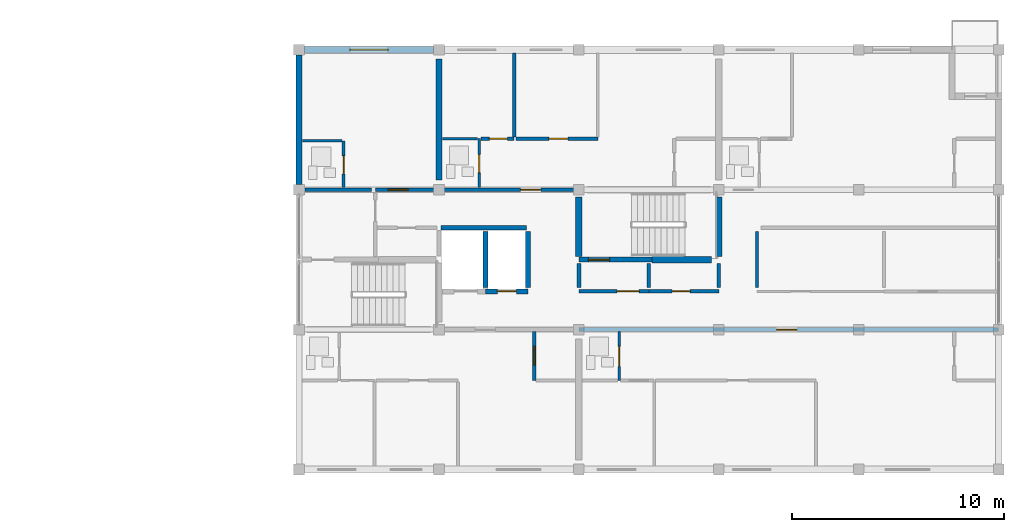
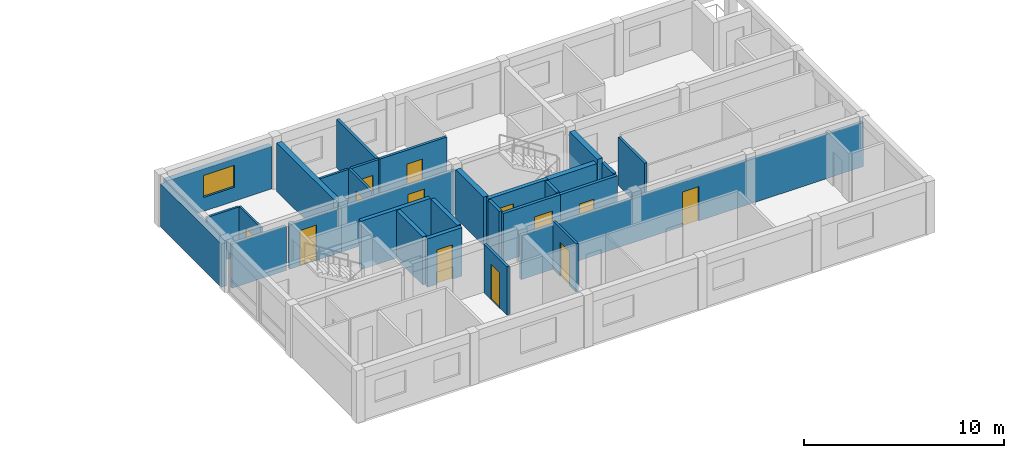
# One storey, part 35 of 45: 30 walls, 13 doors, 1 window, 14 openings.
"""IFC4 building model written with IfcOpenShell, lengths in metres."""

from ifc_helpers import new_model, si_unit, direction, frame, frame_2d, origin, place, context, subcontext, project, spatial, rectangle, extrude, material, layer, layer_set, type_object, element, fill, save


model = new_model("IFC4")

# Units and contexts
model_context = context("Model", 3, precision=1e-05, world=origin(), true_north=direction((0.0, 1.0)))
body_context = subcontext(model_context, "Body", "Model", "MODEL_VIEW")
ifc_project = project(units=[si_unit("LENGTHUNIT", "METRE"), si_unit("AREAUNIT", "SQUARE_METRE"), si_unit("VOLUMEUNIT", "CUBIC_METRE"), si_unit("PLANEANGLEUNIT", "RADIAN"), si_unit("MASSUNIT", "GRAM", prefix="KILO")], contexts=[model_context])

# Site, building, storey
site_placement = place(None, origin())
site = spatial("IfcSite", under=ifc_project, at=site_placement, CompositionType="ELEMENT")
building_placement = place(site_placement, origin())
building = spatial("IfcBuilding", under=site, at=building_placement, Name="Kernevlak Ridge Housing Community", CompositionType="ELEMENT")
storey_placement = place(building_placement, frame((0.0, 0.0, 14.800048828125)))
storey = spatial("IfcBuildingStorey", under=building, at=storey_placement, Name="L04", CompositionType="ELEMENT", Elevation=14.800048828125)

# Wall, opening, window
ifc_material_1 = material(Name="Concrete block masonry M10", Category="masonry")
ifc_layer_1 = layer(ifc_material_1, 0.300048828125, Name="Concrete block masonry M10")
ifc_layer_set_1 = layer_set([ifc_layer_1], Name="Concrete block masonry M10")
wall_type_1 = type_object("IfcWallType", Name="EW-01", PredefinedType="STANDARD", material=ifc_layer_set_1)
wall_1_placement = place(storey_placement, frame((119.64990234375, 102.39990234375, 0.0), z_axis=(0.0, 0.0, 1.0), x_axis=(1.0, 0.0, 0.0)))
wall_1 = element("IfcWall", 1, at=wall_1_placement, inside=storey, type_object=wall_type_1, Name="Exterior wall EW-01 L04 360", PredefinedType="STANDARD", context=body_context, shape_type="SweptSolid", body=[
    extrude(rectangle(XDim=6.10009765625, YDim=0.300048828125, at=frame_2d((3.050048828125, 0.0))), origin(), (0.0, 0.0, 1.0), 2.599853515625),
])
opening_1_placement = place(wall_1_placement, frame((2.14990234375, 0.0, 0.85009765625)))
opening_1 = element("IfcOpeningElement", 2, at=opening_1_placement, cuts=wall_1, Name="Opening WT-03", PredefinedType="OPENING", context=body_context, shape_type="SweptSolid", body=[
    extrude(rectangle(XDim=1.800048828125, YDim=1.35009765625, at=frame_2d((0.89990234375, 0.675048828125))), frame((0.0, 0.159912109375, 0.0), z_axis=(0.0, -1.0, 0.0), x_axis=(1.0, 0.0, 0.0)), (0.0, 0.0, 1.0), 0.320068359375),
])
ifc_material_2 = material(Name="Aluminium EN AW-6060 anodised and laminated glass", Category="aluminium")
window_type = type_object("IfcWindowType", Name="WT-03", PartitioningType="SINGLE_PANEL", PredefinedType="WINDOW", material=ifc_material_2)
window_placement = place(opening_1_placement, origin())
window = element("IfcWindow", 3, at=window_placement, inside=storey, type_object=window_type, Name="Window WT-03 L04 277", OverallHeight=1.35009765625, OverallWidth=1.800048828125, PartitioningType="SINGLE_PANEL", PredefinedType="WINDOW", context=body_context, shape_type="SweptSolid", body=[
    extrude(rectangle(XDim=1.800048828125, YDim=1.35009765625, at=frame_2d((0.89990234375, 0.675048828125))), frame((0.0, 0.030029296875, 0.0), z_axis=(0.0, -1.0, 0.0), x_axis=(1.0, 0.0, 0.0)), (0.0, 0.0, 1.0), 0.06005859375),
])
fill(opening_1, window)

# Wall
wall_2_placement = place(storey_placement, frame((119.39990234375, 96.050048828125, 0.0), z_axis=(0.0, 0.0, 1.0), x_axis=(0.0, 1.0, 0.0)))
element("IfcWall", 4, at=wall_2_placement, inside=storey, type_object=wall_type_1, Name="Exterior wall EW-01 L04 368", PredefinedType="STANDARD", context=body_context, shape_type="SweptSolid", body=[
    extrude(rectangle(XDim=6.099853515625, YDim=0.300048828125, at=frame_2d((3.0498046875, 0.0))), origin(), (0.0, 0.0, 1.0), 2.64990234375),
])

# Wall, opening, door
ifc_material_3 = material(Name="Concrete C35/45", Category="concrete")
ifc_layer_2 = layer(ifc_material_3, 0.22509765625, Name="Concrete C35/45")
ifc_layer_set_2 = layer_set([ifc_layer_2], Name="Concrete C35/45")
wall_type_2 = type_object("IfcWallType", Name="PW-01", PredefinedType="STANDARD", material=ifc_layer_set_2)
wall_3_placement = place(storey_placement, frame((128.199951171875, 91.0, 0.0), z_axis=(0.0, 0.0, 1.0), x_axis=(1.0, 0.0, 0.0)))
wall_3 = element("IfcWall", 5, at=wall_3_placement, inside=storey, type_object=wall_type_2, Name="Interior wall PW-01 WAL-INT-L04-1390", PredefinedType="STANDARD", context=body_context, shape_type="SweptSolid", body=[
    extrude(rectangle(XDim=2.0, YDim=0.22509765625, at=frame_2d((1.0, 0.0))), origin(), (0.0, 0.0, 1.0), 2.9599609375),
])
opening_2_placement = place(wall_3_placement, frame((0.550048828125, 0.0, 0.0)))
opening_2 = element("IfcOpeningElement", 6, at=opening_2_placement, cuts=wall_3, Name="Opening LD39", PredefinedType="OPENING", context=body_context, shape_type="SweptSolid", body=[
    extrude(rectangle(XDim=0.89990234375, YDim=2.10009765625, at=frame_2d((0.449951171875, 1.050048828125))), frame((0.0, 0.12255859375, 0.0), z_axis=(0.0, -1.0, 0.0), x_axis=(1.0, 0.0, 0.0)), (0.0, 0.0, 1.0), 0.2451171875),
])
ifc_material_4 = material(Name="Stainless steel EN 1.4401", Category="steel")
door_type_1 = type_object("IfcDoorType", Name="DT-LD2", OperationType="DOUBLE_DOOR_SLIDING", PredefinedType="DOOR", material=ifc_material_4)
door_1_placement = place(opening_2_placement, origin())
door_1 = element("IfcDoor", 7, at=door_1_placement, inside=storey, type_object=door_type_1, Name="Lift LF-B2 landing door LD39", OperationType="DOUBLE_DOOR_SLIDING", OverallHeight=2.10009765625, OverallWidth=0.89990234375, PredefinedType="DOOR", context=body_context, shape_type="SweptSolid", body=[
    extrude(rectangle(XDim=0.89990234375, YDim=2.10009765625, at=frame_2d((0.449951171875, 1.050048828125))), frame((0.0, 0.02490234375, 0.0), z_axis=(0.0, -1.0, 0.0), x_axis=(1.0, 0.0, 0.0)), (0.0, 0.0, 1.0), 0.050048828125),
])
fill(opening_2, door_1)

# Walls
wall_4_placement = place(storey_placement, frame((126.097412109375, 94.0, 0.0), z_axis=(0.0, 0.0, 1.0), x_axis=(1.0, 0.0, 0.0)))
element("IfcWall", 8, at=wall_4_placement, inside=storey, type_object=wall_type_2, Name="Interior wall PW-01 WAL-INT-L04-1391", PredefinedType="STANDARD", context=body_context, shape_type="SweptSolid", body=[
    extrude(rectangle(XDim=4.022705078125, YDim=0.22509765625, at=frame_2d((2.01123046875, 0.0))), origin(), (0.0, 0.0, 1.0), 2.9599609375),
])
for number, where, z_axis, x_axis, name in (
    (9, (128.199951171875, 91.179931640625, 0.0), (0.0, 0.0, 1.0), (0.0, 1.0, 0.0), "Interior wall PW-01 WAL-INT-L04-1393"),
    (10, (130.199951171875, 91.179931640625, 0.0), (0.0, 0.0, 1.0), (0.0, 1.0, 0.0), "Interior wall PW-01 WAL-INT-L04-1394"),
):
    element("IfcWall", number, at=place(storey_placement, frame(where, z_axis=z_axis, x_axis=x_axis)), inside=storey, type_object=wall_type_2, Name=name, PredefinedType="STANDARD", context=body_context, shape_type="SweptSolid", body=[
        extrude(rectangle(XDim=2.64013671875, YDim=0.22509765625, at=frame_2d((1.320068359375, 0.0))), origin(), (0.0, 0.0, 1.0), 2.9599609375),
    ])

# Wall, opening, door
wall_5_placement = place(storey_placement, frame((132.60009765625, 92.5, 0.0), z_axis=(0.0, 0.0, 1.0), x_axis=(1.0, 0.0, 0.0)))
wall_5 = element("IfcWall", 11, at=wall_5_placement, inside=storey, type_object=wall_type_2, Name="Interior wall PW-01 WAL-INT-L04-1395", PredefinedType="STANDARD", context=body_context, shape_type="SweptSolid", body=[
    extrude(rectangle(XDim=3.449951171875, YDim=0.22509765625, at=frame_2d((1.72509765625, 0.0))), origin(), (0.0, 0.0, 1.0), 2.9599609375),
])
opening_3_placement = place(wall_5_placement, frame((0.449951171875, 0.0, 0.0)))
opening_3 = element("IfcOpeningElement", 12, at=opening_3_placement, cuts=wall_5, Name="Opening D705", PredefinedType="OPENING", context=body_context, shape_type="SweptSolid", body=[
    extrude(rectangle(XDim=1.0, YDim=2.159912109375, at=frame_2d((0.5, 1.080078125))), frame((0.0, 0.12255859375, 0.0), z_axis=(0.0, -1.0, 0.0), x_axis=(1.0, 0.0, 0.0)), (0.0, 0.0, 1.0), 0.2451171875),
])
ifc_material_5 = material(Name="Fire-rated sheet steel leaf", Category="steel")
door_type_2 = type_object("IfcDoorType", Name="DT-15", OperationType="NOTDEFINED", PredefinedType="DOOR", material=ifc_material_5)
door_2_placement = place(opening_3_placement, origin())
door_2 = element("IfcDoor", 13, at=door_2_placement, inside=storey, type_object=door_type_2, Name="Block B Stair 2 fire door D705", OperationType="SINGLE_SWING_LEFT", OverallHeight=2.159912109375, OverallWidth=1.0, PredefinedType="DOOR", context=body_context, shape_type="SweptSolid", body=[
    extrude(rectangle(XDim=1.0, YDim=2.159912109375, at=frame_2d((0.5, 1.080078125))), frame((0.0, 0.02490234375, 0.0), z_axis=(0.0, -1.0, 0.0), x_axis=(1.0, 0.0, 0.0)), (0.0, 0.0, 1.0), 0.050048828125),
])
fill(opening_3, door_2)

ifc_layer_3 = layer(ifc_material_1, 0.175048828125, Name="Concrete block masonry M10")
ifc_layer_set_3 = layer_set([ifc_layer_3], Name="Concrete block masonry M10")
wall_type_3 = type_object("IfcWallType", Name="PW-02", PredefinedType="PARTITIONING", material=ifc_layer_set_3)
wall_6_placement = place(storey_placement, frame((132.60009765625, 91.0, 0.0), z_axis=(0.0, 0.0, 1.0), x_axis=(1.0, 0.0, 0.0)))
wall_6 = element("IfcWall", 14, at=wall_6_placement, inside=storey, type_object=wall_type_3, Name="Interior wall PW-02 WAL-INT-L04-1396", PredefinedType="PARTITIONING", context=body_context, shape_type="SweptSolid", body=[
    extrude(rectangle(XDim=3.2998046875, YDim=0.175048828125, at=frame_2d((1.64990234375, 0.0))), origin(), (0.0, 0.0, 1.0), 2.9599609375),
])
opening_4_placement = place(wall_6_placement, frame((1.800048828125, 0.0, 0.0)))
opening_4 = element("IfcOpeningElement", 15, at=opening_4_placement, cuts=wall_6, Name="Opening D706", PredefinedType="OPENING", context=body_context, shape_type="SweptSolid", body=[
    extrude(rectangle(XDim=1.0400390625, YDim=2.1201171875, at=frame_2d((0.52001953125, 1.06005859375))), frame((0.0, 0.097412109375, 0.0), z_axis=(0.0, -1.0, 0.0), x_axis=(1.0, 0.0, 0.0)), (0.0, 0.0, 1.0), 0.195068359375),
])
door_type_3 = type_object("IfcDoorType", Name="DT-16", OperationType="NOTDEFINED", PredefinedType="DOOR", material=ifc_material_5)
door_3_placement = place(opening_4_placement, origin())
door_3 = element("IfcDoor", 16, at=door_3_placement, inside=storey, type_object=door_type_3, Name="Block B Firefighting lobby 2 door D706", OperationType="SINGLE_SWING_RIGHT", OverallHeight=2.1201171875, OverallWidth=1.0400390625, PredefinedType="DOOR", context=body_context, shape_type="SweptSolid", body=[
    extrude(rectangle(XDim=1.0400390625, YDim=2.1201171875, at=frame_2d((0.52001953125, 1.06005859375))), frame((0.0, 0.02490234375, 0.0), z_axis=(0.0, -1.0, 0.0), x_axis=(1.0, 0.0, 0.0)), (0.0, 0.0, 1.0), 0.050048828125),
])
fill(opening_4, door_3)

wall_7_placement = place(storey_placement, frame((135.89990234375, 91.0, 0.0), z_axis=(0.0, 0.0, 1.0), x_axis=(1.0, 0.0, 0.0)))
wall_7 = element("IfcWall", 17, at=wall_7_placement, inside=storey, type_object=wall_type_3, Name="Interior wall PW-02 WAL-INT-L04-1397", PredefinedType="PARTITIONING", context=body_context, shape_type="SweptSolid", body=[
    extrude(rectangle(XDim=3.300048828125, YDim=0.175048828125, at=frame_2d((1.64990234375, 0.0))), origin(), (0.0, 0.0, 1.0), 2.9599609375),
])
opening_5_placement = place(wall_7_placement, frame((1.10009765625, 0.0, 0.0)))
opening_5 = element("IfcOpeningElement", 18, at=opening_5_placement, cuts=wall_7, Name="Opening D707", PredefinedType="OPENING", context=body_context, shape_type="SweptSolid", body=[
    extrude(rectangle(XDim=0.85009765625, YDim=2.0, at=frame_2d((0.425048828125, 1.0))), frame((0.0, 0.097412109375, 0.0), z_axis=(0.0, -1.0, 0.0), x_axis=(1.0, 0.0, 0.0)), (0.0, 0.0, 1.0), 0.195068359375),
])
door_type_4 = type_object("IfcDoorType", Name="DT-07", OperationType="NOTDEFINED", PredefinedType="DOOR", material=ifc_material_5)
door_4_placement = place(opening_5_placement, origin())
door_4 = element("IfcDoor", 19, at=door_4_placement, inside=storey, type_object=door_type_4, Name="Block B Cleaner store door D707", OperationType="SINGLE_SWING_LEFT", OverallHeight=2.0, OverallWidth=0.85009765625, PredefinedType="DOOR", context=body_context, shape_type="SweptSolid", body=[
    extrude(rectangle(XDim=0.85009765625, YDim=2.0, at=frame_2d((0.425048828125, 1.0))), frame((0.0, 0.02490234375, 0.0), z_axis=(0.0, -1.0, 0.0), x_axis=(1.0, 0.0, 0.0)), (0.0, 0.0, 1.0), 0.050048828125),
])
fill(opening_5, door_4)

# Walls
for number, where, z_axis, x_axis, name in (
    (20, (132.60009765625, 91.179931640625, 0.0), (0.0, 0.0, 1.0), (0.0, 1.0, 0.0), "Interior wall PW-02 WAL-INT-L04-1398"),
    (21, (135.89990234375, 91.179931640625, 0.0), (0.0, 0.0, 1.0), (0.0, 1.0, 0.0), "Interior wall PW-02 WAL-INT-L04-1399"),
    (22, (139.199951171875, 91.179931640625, 0.0), (0.0, 0.0, 1.0), (0.0, 1.0, 0.0), "Interior wall PW-02 WAL-INT-L04-1400"),
):
    element("IfcWall", number, at=place(storey_placement, frame(where, z_axis=z_axis, x_axis=x_axis)), inside=storey, type_object=wall_type_3, Name=name, PredefinedType="PARTITIONING", context=body_context, shape_type="SweptSolid", body=[
        extrude(rectangle(XDim=1.14013671875, YDim=0.175048828125, at=frame_2d((0.570068359375, 0.0))), origin(), (0.0, 0.0, 1.0), 2.9599609375),
    ])

# Wall, opening, door
wall_8_placement = place(storey_placement, frame((132.60009765625, 89.199951171875, 0.0), z_axis=(0.0, 0.0, 1.0), x_axis=(1.0, 0.0, 0.0)))
wall_8 = element("IfcWall", 23, at=wall_8_placement, inside=storey, type_object=wall_type_3, Name="Interior wall PW-02 WAL-INT-L04-1415", PredefinedType="PARTITIONING", context=body_context, shape_type="SweptSolid", body=[
    extrude(rectangle(XDim=19.7998046875, YDim=0.175048828125, at=frame_2d((9.89990234375, 0.0))), origin(), (0.0, 0.0, 1.0), 2.699951171875),
])
opening_6_placement = place(wall_8_placement, frame((9.324951171875, 0.0, 0.0)))
opening_6 = element("IfcOpeningElement", 24, at=opening_6_placement, cuts=wall_8, Name="Opening D715", PredefinedType="OPENING", context=body_context, shape_type="SweptSolid", body=[
    extrude(rectangle(XDim=0.949951171875, YDim=2.10009765625, at=frame_2d((0.47509765625, 1.050048828125))), frame((0.0, 0.097412109375, 0.0), z_axis=(0.0, -1.0, 0.0), x_axis=(1.0, 0.0, 0.0)), (0.0, 0.0, 1.0), 0.195068359375),
])
ifc_material_6 = material(Name="Hardwood timber solid-core fire leaf", Category="wood")
door_type_5 = type_object("IfcDoorType", Name="DT-01", OperationType="NOTDEFINED", PredefinedType="DOOR", material=ifc_material_6)
door_5_placement = place(opening_6_placement, origin())
door_5 = element("IfcDoor", 25, at=door_5_placement, inside=storey, type_object=door_type_5, Name="Flat B0412 entrance fire door D715", OperationType="SINGLE_SWING_LEFT", OverallHeight=2.10009765625, OverallWidth=0.949951171875, PredefinedType="DOOR", context=body_context, shape_type="SweptSolid", body=[
    extrude(rectangle(XDim=0.949951171875, YDim=2.10009765625, at=frame_2d((0.47509765625, 1.050048828125))), frame((0.0, 0.02490234375, 0.0), z_axis=(0.0, -1.0, 0.0), x_axis=(1.0, 0.0, 0.0)), (0.0, 0.0, 1.0), 0.050048828125),
])
fill(opening_6, door_5)

# Wall
wall_9_placement = place(storey_placement, frame((119.679931640625, 95.800048828125, 0.0), z_axis=(0.0, 0.0, 1.0), x_axis=(1.0, 0.0, 0.0)))
element("IfcWall", 26, at=wall_9_placement, inside=storey, type_object=wall_type_3, Name="Interior wall PW-02 WAL-INT-L04-1424", PredefinedType="PARTITIONING", context=body_context, shape_type="SweptSolid", body=[
    extrude(rectangle(XDim=3.14013671875, YDim=0.175048828125, at=frame_2d((1.570068359375, 0.0))), origin(), (0.0, 0.0, 1.0), 2.699951171875),
])

# Wall, opening, door
wall_10_placement = place(storey_placement, frame((123.0, 95.800048828125, 0.0), z_axis=(0.0, 0.0, 1.0), x_axis=(1.0, 0.0, 0.0)))
wall_10 = element("IfcWall", 27, at=wall_10_placement, inside=storey, type_object=wall_type_3, Name="Interior wall PW-02 WAL-INT-L04-1425", PredefinedType="PARTITIONING", context=body_context, shape_type="SweptSolid", body=[
    extrude(rectangle(XDim=3.0, YDim=0.175048828125, at=frame_2d((1.5, 0.0))), origin(), (0.0, 0.0, 1.0), 2.699951171875),
])
opening_7_placement = place(wall_10_placement, frame((0.60009765625, 0.0, 0.0)))
opening_7 = element("IfcOpeningElement", 28, at=opening_7_placement, cuts=wall_10, Name="Opening D720", PredefinedType="OPENING", context=body_context, shape_type="SweptSolid", body=[
    extrude(rectangle(XDim=0.949951171875, YDim=2.159912109375, at=frame_2d((0.47509765625, 1.080078125))), frame((0.0, 0.097412109375, 0.0), z_axis=(0.0, -1.0, 0.0), x_axis=(1.0, 0.0, 0.0)), (0.0, 0.0, 1.0), 0.195068359375),
])
door_type_6 = type_object("IfcDoorType", Name="DT-02", OperationType="NOTDEFINED", PredefinedType="DOOR", material=ifc_material_6)
door_6_placement = place(opening_7_placement, origin())
door_6 = element("IfcDoor", 29, at=door_6_placement, inside=storey, type_object=door_type_6, Name="Flat B0421 entrance fire door D720", OperationType="SINGLE_SWING_RIGHT", OverallHeight=2.159912109375, OverallWidth=0.949951171875, PredefinedType="DOOR", context=body_context, shape_type="SweptSolid", body=[
    extrude(rectangle(XDim=0.949951171875, YDim=2.159912109375, at=frame_2d((0.47509765625, 1.080078125))), frame((0.0, 0.02490234375, 0.0), z_axis=(0.0, -1.0, 0.0), x_axis=(1.0, 0.0, 0.0)), (0.0, 0.0, 1.0), 0.050048828125),
])
fill(opening_7, door_6)

wall_11_placement = place(storey_placement, frame((126.0, 95.800048828125, 0.0), z_axis=(0.0, 0.0, 1.0), x_axis=(1.0, 0.0, 0.0)))
wall_11 = element("IfcWall", 30, at=wall_11_placement, inside=storey, type_object=wall_type_3, Name="Interior wall PW-02 WAL-INT-L04-1428", PredefinedType="PARTITIONING", context=body_context, shape_type="SweptSolid", body=[
    extrude(rectangle(XDim=6.60009765625, YDim=0.175048828125, at=frame_2d((3.300048828125, 0.0))), origin(), (0.0, 0.0, 1.0), 2.699951171875),
])
opening_8_placement = place(wall_11_placement, frame((3.85009765625, 0.0, 0.0)))
opening_8 = element("IfcOpeningElement", 31, at=opening_8_placement, cuts=wall_11, Name="Opening D722", PredefinedType="OPENING", context=body_context, shape_type="SweptSolid", body=[
    extrude(rectangle(XDim=0.9599609375, YDim=2.179931640625, at=frame_2d((0.47998046875, 1.08984375))), frame((0.0, 0.097412109375, 0.0), z_axis=(0.0, -1.0, 0.0), x_axis=(1.0, 0.0, 0.0)), (0.0, 0.0, 1.0), 0.195068359375),
])
door_type_7 = type_object("IfcDoorType", Name="DT-29", OperationType="NOTDEFINED", PredefinedType="DOOR", material=ifc_material_6)
door_7_placement = place(opening_8_placement, origin())
door_7 = element("IfcDoor", 32, at=door_7_placement, inside=storey, type_object=door_type_7, Name="Flat B0422 entrance fire door D722", OperationType="SINGLE_SWING_RIGHT", OverallHeight=2.179931640625, OverallWidth=0.9599609375, PredefinedType="DOOR", context=body_context, shape_type="SweptSolid", body=[
    extrude(rectangle(XDim=0.9599609375, YDim=2.179931640625, at=frame_2d((0.47998046875, 1.08984375))), frame((0.0, 0.02490234375, 0.0), z_axis=(0.0, -1.0, 0.0), x_axis=(1.0, 0.0, 0.0)), (0.0, 0.0, 1.0), 0.050048828125),
])
fill(opening_8, door_7)

# Wall
ifc_layer_4 = layer(ifc_material_1, 0.14501953125, Name="Concrete block masonry M10")
ifc_layer_set_4 = layer_set([ifc_layer_4], Name="Concrete block masonry M10")
wall_type_4 = type_object("IfcWallType", Name="PW-03", PredefinedType="PARTITIONING", material=ifc_layer_set_4)
wall_12_placement = place(storey_placement, frame((141.0, 91.179931640625, 0.0), z_axis=(0.0, 0.0, 1.0), x_axis=(0.0, 1.0, 0.0)))
element("IfcWall", 33, at=wall_12_placement, inside=storey, type_object=wall_type_4, Name="Interior wall PW-03 WAL-INT-L04-1405", PredefinedType="PARTITIONING", context=body_context, shape_type="SweptSolid", body=[
    extrude(rectangle(XDim=2.64013671875, YDim=0.14501953125, at=frame_2d((1.320068359375, 0.0))), origin(), (0.0, 0.0, 1.0), 2.9599609375),
])

# Wall, opening, door
wall_13_placement = place(storey_placement, frame((127.972412109375, 98.199951171875, 0.0), z_axis=(0.0, 0.0, 1.0), x_axis=(1.0, 0.0, 0.0)))
wall_13 = element("IfcWall", 34, at=wall_13_placement, inside=storey, type_object=wall_type_4, Name="Interior wall PW-03 WAL-INT-L04-1433", PredefinedType="PARTITIONING", context=body_context, shape_type="SweptSolid", body=[
    extrude(rectangle(XDim=1.57763671875, YDim=0.14501953125, at=frame_2d((0.788818359375, 0.0))), origin(), (0.0, 0.0, 1.0), 2.9599609375),
])
opening_9_placement = place(wall_13_placement, frame((0.39990234375, 0.0, 0.0)))
opening_9 = element("IfcOpeningElement", 35, at=opening_9_placement, cuts=wall_13, Name="Opening D725", PredefinedType="OPENING", context=body_context, shape_type="SweptSolid", body=[
    extrude(rectangle(XDim=0.85009765625, YDim=2.10009765625, at=frame_2d((0.425048828125, 1.050048828125))), frame((0.0, 0.08251953125, 0.0), z_axis=(0.0, -1.0, 0.0), x_axis=(1.0, 0.0, 0.0)), (0.0, 0.0, 1.0), 0.1650390625),
])
ifc_material_7 = material(Name="Hardwood timber leaf", Category="wood")
door_type_8 = type_object("IfcDoorType", Name="DT-03", OperationType="NOTDEFINED", PredefinedType="DOOR", material=ifc_material_7)
door_8_placement = place(opening_9_placement, origin())
door_8 = element("IfcDoor", 36, at=door_8_placement, inside=storey, type_object=door_type_8, Name="Flat B0422 bedroom door D725", OperationType="SINGLE_SWING_LEFT", OverallHeight=2.10009765625, OverallWidth=0.85009765625, PredefinedType="DOOR", context=body_context, shape_type="SweptSolid", body=[
    extrude(rectangle(XDim=0.85009765625, YDim=2.10009765625, at=frame_2d((0.425048828125, 1.050048828125))), frame((0.0, 0.02490234375, 0.0), z_axis=(0.0, -1.0, 0.0), x_axis=(1.0, 0.0, 0.0)), (0.0, 0.0, 1.0), 0.050048828125),
])
fill(opening_9, door_8)

# Wall
wall_14_placement = place(storey_placement, frame((129.550048828125, 98.282470703125, 0.0), z_axis=(0.0, 0.0, 1.0), x_axis=(0.0, 1.0, 0.0)))
element("IfcWall", 37, at=wall_14_placement, inside=storey, type_object=wall_type_4, Name="Interior wall PW-03 WAL-INT-L04-1434", PredefinedType="PARTITIONING", context=body_context, shape_type="SweptSolid", body=[
    extrude(rectangle(XDim=3.95751953125, YDim=0.14501953125, at=frame_2d((1.978759765625, 0.0))), origin(), (0.0, 0.0, 1.0), 2.9599609375),
])

# Wall, opening, door
wall_15_placement = place(storey_placement, frame((129.632568359375, 98.199951171875, 0.0), z_axis=(0.0, 0.0, 1.0), x_axis=(1.0, 0.0, 0.0)))
wall_15 = element("IfcWall", 38, at=wall_15_placement, inside=storey, type_object=wall_type_4, Name="Interior wall PW-03 WAL-INT-L04-1435", PredefinedType="PARTITIONING", context=body_context, shape_type="SweptSolid", body=[
    extrude(rectangle(XDim=3.859375, YDim=0.14501953125, at=frame_2d((1.9296875, 0.0))), origin(), (0.0, 0.0, 1.0), 2.9599609375),
])
opening_10_placement = place(wall_15_placement, frame((1.5458984375, 0.0, 0.0)))
opening_10 = element("IfcOpeningElement", 39, at=opening_10_placement, cuts=wall_15, Name="Opening D726", PredefinedType="OPENING", context=body_context, shape_type="SweptSolid", body=[
    extrude(rectangle(XDim=0.89990234375, YDim=2.10009765625, at=frame_2d((0.449951171875, 1.050048828125))), frame((0.0, 0.08251953125, 0.0), z_axis=(0.0, -1.0, 0.0), x_axis=(1.0, 0.0, 0.0)), (0.0, 0.0, 1.0), 0.1650390625),
])
door_type_9 = type_object("IfcDoorType", Name="DT-21", OperationType="NOTDEFINED", PredefinedType="DOOR", material=ifc_material_7)
door_9_placement = place(opening_10_placement, origin())
door_9 = element("IfcDoor", 40, at=door_9_placement, inside=storey, type_object=door_type_9, Name="Flat B0422 bedroom door D726", OperationType="SINGLE_SWING_RIGHT", OverallHeight=2.10009765625, OverallWidth=0.89990234375, PredefinedType="DOOR", context=body_context, shape_type="SweptSolid", body=[
    extrude(rectangle(XDim=0.89990234375, YDim=2.10009765625, at=frame_2d((0.449951171875, 1.050048828125))), frame((0.0, 0.02490234375, 0.0), z_axis=(0.0, -1.0, 0.0), x_axis=(1.0, 0.0, 0.0)), (0.0, 0.0, 1.0), 0.050048828125),
])
fill(opening_10, door_9)

ifc_material_8 = material(Name="Gypsum plasterboard EN 520", Category="gypsum")
ifc_layer_5 = layer(ifc_material_8, 0.125, Name="Gypsum plasterboard EN 520")
ifc_layer_set_5 = layer_set([ifc_layer_5], Name="Gypsum plasterboard EN 520")
wall_type_5 = type_object("IfcWallType", Name="PW-04", PredefinedType="PARTITIONING", material=ifc_layer_set_5)
wall_16_placement = place(storey_placement, frame((134.5, 89.1025390625, 0.0), z_axis=(0.0, 0.0, 1.0), x_axis=(0.0, -1.0, 0.0)))
wall_16 = element("IfcWall", 41, at=wall_16_placement, inside=storey, type_object=wall_type_5, Name="Interior wall PW-04 WAL-INT-L04-1416", PredefinedType="PARTITIONING", context=body_context, shape_type="SweptSolid", body=[
    extrude(rectangle(XDim=2.302490234375, YDim=0.125, at=frame_2d((1.1513671875, 0.0))), origin(), (0.0, 0.0, 1.0), 2.9599609375),
])
opening_11_placement = place(wall_16_placement, frame((0.699951171875, 0.0, 0.0)))
opening_11 = element("IfcOpeningElement", 42, at=opening_11_placement, cuts=wall_16, Name="Opening D716", PredefinedType="OPENING", context=body_context, shape_type="SweptSolid", body=[
    extrude(rectangle(XDim=0.93994140625, YDim=2.080078125, at=frame_2d((0.469970703125, 1.0400390625))), frame((0.0, 0.072509765625, 0.0), z_axis=(0.0, -1.0, 0.0), x_axis=(1.0, 0.0, 0.0)), (0.0, 0.0, 1.0), 0.14501953125),
])
ifc_material_9 = material(Name="Hardwood timber moisture-resistant leaf", Category="wood")
door_type_10 = type_object("IfcDoorType", Name="DT-23", OperationType="NOTDEFINED", PredefinedType="DOOR", material=ifc_material_9)
door_10_placement = place(opening_11_placement, origin())
door_10 = element("IfcDoor", 43, at=door_10_placement, inside=storey, type_object=door_type_10, Name="Flat B0412 bathroom door D716", OperationType="SINGLE_SWING_RIGHT", OverallHeight=2.080078125, OverallWidth=0.93994140625, PredefinedType="DOOR", context=body_context, shape_type="SweptSolid", body=[
    extrude(rectangle(XDim=0.93994140625, YDim=2.080078125, at=frame_2d((0.469970703125, 1.0400390625))), frame((0.0, 0.02490234375, 0.0), z_axis=(0.0, -1.0, 0.0), x_axis=(1.0, 0.0, 0.0)), (0.0, 0.0, 1.0), 0.050048828125),
])
fill(opening_11, door_10)

wall_17_placement = place(storey_placement, frame((121.5, 95.8974609375, 0.0), z_axis=(0.0, 0.0, 1.0), x_axis=(0.0, 1.0, 0.0)))
wall_17 = element("IfcWall", 44, at=wall_17_placement, inside=storey, type_object=wall_type_5, Name="Interior wall PW-04 WAL-INT-L04-1426", PredefinedType="PARTITIONING", context=body_context, shape_type="SweptSolid", body=[
    extrude(rectangle(XDim=2.20263671875, YDim=0.125, at=frame_2d((1.101318359375, 0.0))), origin(), (0.0, 0.0, 1.0), 2.9599609375),
])
opening_12_placement = place(wall_17_placement, frame((0.64990234375, 0.0, 0.0)))
opening_12 = element("IfcOpeningElement", 45, at=opening_12_placement, cuts=wall_17, Name="Opening D721", PredefinedType="OPENING", context=body_context, shape_type="SweptSolid", body=[
    extrude(rectangle(XDim=0.840087890625, YDim=2.06005859375, at=frame_2d((0.419921875, 1.030029296875))), frame((0.0, 0.072509765625, 0.0), z_axis=(0.0, -1.0, 0.0), x_axis=(1.0, 0.0, 0.0)), (0.0, 0.0, 1.0), 0.14501953125),
])
door_type_11 = type_object("IfcDoorType", Name="DT-27", OperationType="NOTDEFINED", PredefinedType="DOOR", material=ifc_material_9)
door_11_placement = place(opening_12_placement, origin())
door_11 = element("IfcDoor", 46, at=door_11_placement, inside=storey, type_object=door_type_11, Name="Flat B0421 bathroom door D721", OperationType="SINGLE_SWING_LEFT", OverallHeight=2.06005859375, OverallWidth=0.840087890625, PredefinedType="DOOR", context=body_context, shape_type="SweptSolid", body=[
    extrude(rectangle(XDim=0.840087890625, YDim=2.06005859375, at=frame_2d((0.419921875, 1.030029296875))), frame((0.0, 0.02490234375, 0.0), z_axis=(0.0, -1.0, 0.0), x_axis=(1.0, 0.0, 0.0)), (0.0, 0.0, 1.0), 0.050048828125),
])
fill(opening_12, door_11)

# Wall
wall_18_placement = place(storey_placement, frame((119.56005859375, 98.10009765625, 0.0), z_axis=(0.0, 0.0, 1.0), x_axis=(1.0, 0.0, 0.0)))
element("IfcWall", 47, at=wall_18_placement, inside=storey, type_object=wall_type_5, Name="Interior wall PW-04 WAL-INT-L04-1427", PredefinedType="PARTITIONING", context=body_context, shape_type="SweptSolid", body=[
    extrude(rectangle(XDim=1.85986328125, YDim=0.125, at=frame_2d((0.929931640625, 0.0))), origin(), (0.0, 0.0, 1.0), 2.9599609375),
])

# Wall, opening, door
wall_19_placement = place(storey_placement, frame((127.89990234375, 95.8974609375, 0.0), z_axis=(0.0, 0.0, 1.0), x_axis=(0.0, 1.0, 0.0)))
wall_19 = element("IfcWall", 48, at=wall_19_placement, inside=storey, type_object=wall_type_5, Name="Interior wall PW-04 WAL-INT-L04-1429", PredefinedType="PARTITIONING", context=body_context, shape_type="SweptSolid", body=[
    extrude(rectangle(XDim=2.302490234375, YDim=0.125, at=frame_2d((1.1513671875, 0.0))), origin(), (0.0, 0.0, 1.0), 2.9599609375),
])
opening_13_placement = place(wall_19_placement, frame((0.699951171875, 0.0, 0.0)))
opening_13 = element("IfcOpeningElement", 49, at=opening_13_placement, cuts=wall_19, Name="Opening D723", PredefinedType="OPENING", context=body_context, shape_type="SweptSolid", body=[
    extrude(rectangle(XDim=0.85009765625, YDim=2.0400390625, at=frame_2d((0.425048828125, 1.02001953125))), frame((0.0, 0.072509765625, 0.0), z_axis=(0.0, -1.0, 0.0), x_axis=(1.0, 0.0, 0.0)), (0.0, 0.0, 1.0), 0.14501953125),
])
door_type_12 = type_object("IfcDoorType", Name="DT-04", OperationType="NOTDEFINED", PredefinedType="DOOR", material=ifc_material_9)
door_12_placement = place(opening_13_placement, origin())
door_12 = element("IfcDoor", 50, at=door_12_placement, inside=storey, type_object=door_type_12, Name="Flat B0422 bathroom door D723", OperationType="SINGLE_SWING_LEFT", OverallHeight=2.0400390625, OverallWidth=0.85009765625, PredefinedType="DOOR", context=body_context, shape_type="SweptSolid", body=[
    extrude(rectangle(XDim=0.85009765625, YDim=2.0400390625, at=frame_2d((0.425048828125, 1.02001953125))), frame((0.0, 0.02490234375, 0.0), z_axis=(0.0, -1.0, 0.0), x_axis=(1.0, 0.0, 0.0)), (0.0, 0.0, 1.0), 0.050048828125),
])
fill(opening_13, door_12)

# Wall
wall_20_placement = place(storey_placement, frame((126.159912109375, 98.199951171875, 0.0), z_axis=(0.0, 0.0, 1.0), x_axis=(1.0, 0.0, 0.0)))
element("IfcWall", 51, at=wall_20_placement, inside=storey, type_object=wall_type_5, Name="Interior wall PW-04 WAL-INT-L04-1430", PredefinedType="PARTITIONING", context=body_context, shape_type="SweptSolid", body=[
    extrude(rectangle(XDim=1.66015625, YDim=0.125, at=frame_2d((0.830078125, 0.0))), origin(), (0.0, 0.0, 1.0), 2.9599609375),
])

# Wall, opening, door
ifc_layer_6 = layer(ifc_material_8, 0.155029296875, Name="Gypsum plasterboard EN 520")
ifc_layer_set_6 = layer_set([ifc_layer_6], Name="Gypsum plasterboard EN 520")
wall_type_6 = type_object("IfcWallType", Name="PW-05", PredefinedType="PARTITIONING", material=ifc_layer_set_6)
wall_21_placement = place(storey_placement, frame((130.5, 89.1025390625, 0.0), z_axis=(0.0, 0.0, 1.0), x_axis=(0.0, -1.0, 0.0)))
wall_21 = element("IfcWall", 52, at=wall_21_placement, inside=storey, type_object=wall_type_6, Name="Interior wall PW-05 WAL-INT-L04-1409", PredefinedType="PARTITIONING", context=body_context, shape_type="SweptSolid", body=[
    extrude(rectangle(XDim=2.302490234375, YDim=0.155029296875, at=frame_2d((1.1513671875, 0.0))), origin(), (0.0, 0.0, 1.0), 2.9599609375),
])
opening_14_placement = place(wall_21_placement, frame((0.699951171875, 0.0, 0.0)))
opening_14 = element("IfcOpeningElement", 53, at=opening_14_placement, cuts=wall_21, Name="Opening D712", PredefinedType="OPENING", context=body_context, shape_type="SweptSolid", body=[
    extrude(rectangle(XDim=0.8798828125, YDim=2.159912109375, at=frame_2d((0.43994140625, 1.080078125))), frame((0.0, 0.08740234375, 0.0), z_axis=(0.0, -1.0, 0.0), x_axis=(1.0, 0.0, 0.0)), (0.0, 0.0, 1.0), 0.175048828125),
])
door_type_13 = type_object("IfcDoorType", Name="DT-26", OperationType="NOTDEFINED", PredefinedType="DOOR", material=ifc_material_7)
door_13_placement = place(opening_14_placement, origin())
door_13 = element("IfcDoor", 54, at=door_13_placement, inside=storey, type_object=door_type_13, Name="Flat B0411 kitchen door D712", OperationType="SINGLE_SWING_RIGHT", OverallHeight=2.159912109375, OverallWidth=0.8798828125, PredefinedType="DOOR", context=body_context, shape_type="SweptSolid", body=[
    extrude(rectangle(XDim=0.8798828125, YDim=2.159912109375, at=frame_2d((0.43994140625, 1.080078125))), frame((0.0, 0.02490234375, 0.0), z_axis=(0.0, -1.0, 0.0), x_axis=(1.0, 0.0, 0.0)), (0.0, 0.0, 1.0), 0.050048828125),
])
fill(opening_14, door_13)

# Walls
ifc_material_10 = material(Name="Concrete C40/50", Category="concrete")
ifc_layer_7 = layer(ifc_material_10, 0.300048828125, Name="Concrete C40/50")
ifc_layer_set_7 = layer_set([ifc_layer_7], Name="Concrete C40/50")
wall_type_7 = type_object("IfcWallType", Name="SW-02", PredefinedType="SHEAR", material=ifc_layer_set_7)
for number, where, z_axis, x_axis, name in (
    (55, (136.050048828125, 92.5, 0.0), (0.0, 0.0, 1.0), (1.0, 0.0, 0.0), "Shear wall SW-02 Block B L04 255"),
    (56, (132.60009765625, 92.64990234375, 0.0), (0.0, 0.0, 1.0), (0.0, 1.0, 0.0), "Shear wall SW-02 Block B L04 256"),
    (57, (139.199951171875, 92.64990234375, 0.0), (0.0, 0.0, 1.0), (0.0, 1.0, 0.0), "Shear wall SW-02 Block B L04 257"),
):
    element("IfcWall", number, at=place(storey_placement, frame(where, z_axis=z_axis, x_axis=x_axis)), inside=storey, type_object=wall_type_7, Name=name, PredefinedType="SHEAR", context=body_context, shape_type="SweptSolid", body=[
        extrude(rectangle(XDim=2.800048828125, YDim=0.300048828125, at=frame_2d((1.39990234375, 0.0))), origin(), (0.0, 0.0, 1.0), 2.9599609375),
    ])
wall_22_placement = place(storey_placement, frame((126.0, 96.25, 0.0), z_axis=(0.0, 0.0, 1.0), x_axis=(0.0, 1.0, 0.0)))
element("IfcWall", 58, at=wall_22_placement, inside=storey, type_object=wall_type_7, Name="Shear wall SW-02 Block B L04 259", PredefinedType="SHEAR", context=body_context, shape_type="SweptSolid", body=[
    extrude(rectangle(XDim=5.699951171875, YDim=0.300048828125, at=frame_2d((2.85009765625, 0.0))), origin(), (0.0, 0.0, 1.0), 2.9599609375),
])

save(model, "model.ifc")
